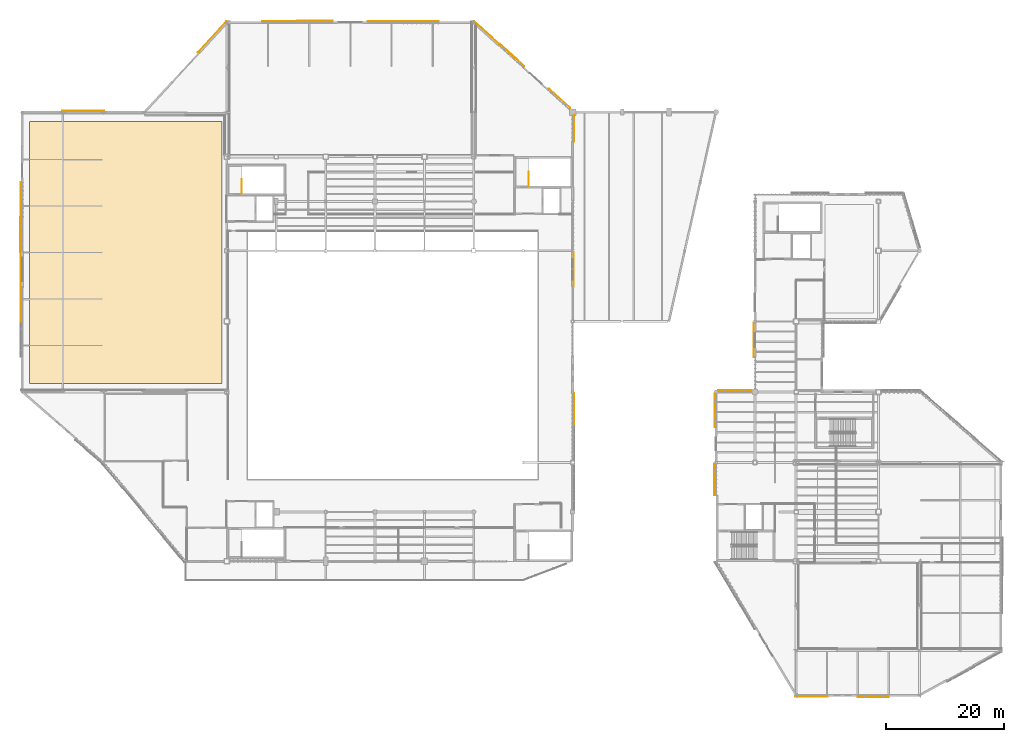
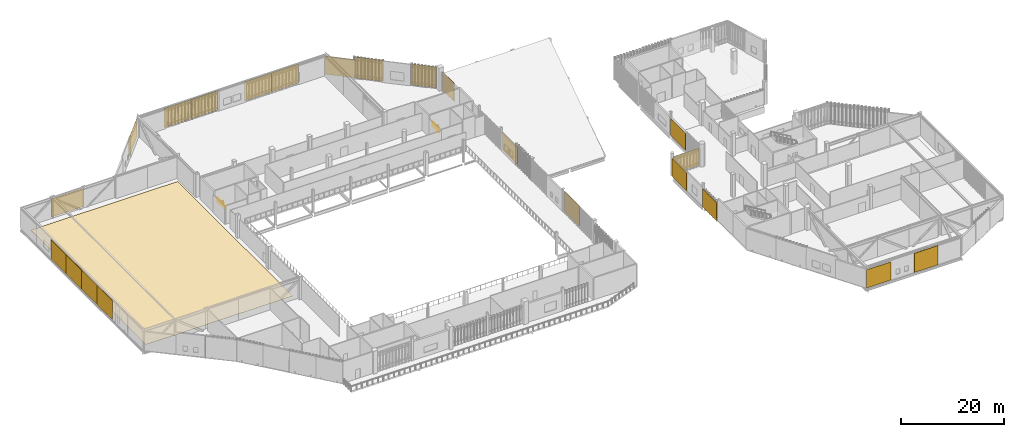
# One storey, part 132 of 135: 15 shading devices, 8 coverings, 2 railings.
"""IFC4 building model written with IfcOpenShell, lengths in metres."""

from ifc_helpers import new_model, si_unit, direction, frame, origin, origin_2d, place, context, subcontext, project, spatial, polyline, rectangle, circle, outline, extrude, material, layer, layer_set, type_object, element, save


model = new_model("IFC4")

# Units and contexts
model_context = context("Model", 3, precision=1e-05, world=origin(), true_north=direction((0.0, 1.0)))
body_context = subcontext(model_context, "Body", "Model", "MODEL_VIEW")
ifc_project = project(units=[si_unit("LENGTHUNIT", "METRE"), si_unit("AREAUNIT", "SQUARE_METRE"), si_unit("VOLUMEUNIT", "CUBIC_METRE"), si_unit("PLANEANGLEUNIT", "RADIAN"), si_unit("MASSUNIT", "GRAM", prefix="KILO")], contexts=[model_context])

# Site, building, storey
site_placement = place(None, origin())
site = spatial("IfcSite", under=ifc_project, at=site_placement, CompositionType="ELEMENT")
building_placement = place(site_placement, origin())
building = spatial("IfcBuilding", under=site, at=building_placement, Name="Larkvane Passage Sports Hall", CompositionType="ELEMENT")
storey_placement = place(building_placement, frame((0.0, 0.0, 16.800048828125)))
storey = spatial("IfcBuildingStorey", under=building, at=storey_placement, Name="L03", CompositionType="ELEMENT", Elevation=16.800048828125)

# Coverings
ifc_material_1 = material(Name="Sprung maple sports floor")
ifc_layer_1 = layer(ifc_material_1, 0.0400390625)
ifc_layer_set_1 = layer_set([ifc_layer_1], Name="Sprung maple sports floor")
covering_type_1 = type_object("IfcCoveringType", Name="COV-FLR-MAPLE", PredefinedType="FLOORING", material=ifc_layer_set_1)
covering_1_placement = place(storey_placement, origin())
element("IfcCovering", 1, at=covering_1_placement, inside=storey, type_object=covering_type_1, Name="Northwest two-court basketball maple floor", PredefinedType="FLOORING", context=body_context, shape_type="SweptSolid", body=[
    extrude(outline(polyline([(1.199951171875, 53.0), (34.0, 53.0), (34.0, 97.60009765625), (1.199951171875, 97.60009765625), (1.199951171875, 53.0)])), origin(), (0.0, 0.0, 1.0), 0.0400390625),
])
ifc_material_2 = material(Name="Perforated anodised aluminium 5052-H32", Category="aluminium")
ifc_layer_2 = layer(ifc_material_2, 0.050048828125)
ifc_layer_set_2 = layer_set([ifc_layer_2], Name="Perforated anodised aluminium 5052-H32")
covering_type_2 = type_object("IfcCoveringType", Name="COV-MESH-VEIL", PredefinedType="CLADDING", material=ifc_layer_set_2)
covering_2_placement = place(storey_placement, frame((134.22509765625, -0.197509765625, 0.074951171875), z_axis=(0.0, 0.0, 1.0), x_axis=(-1.0, 0.0, 0.0)))
element("IfcCovering", 2, at=covering_2_placement, inside=storey, type_object=covering_type_2, Name="Perforated cladding cassette L03-176", PredefinedType="CLADDING", context=body_context, shape_type="SweptSolid", body=[
    extrude(rectangle(XDim=5.481201171875, YDim=0.050048828125, at=origin_2d()), origin(), (0.0, 0.0, 1.0), 4.27001953125),
])
covering_3_placement = place(storey_placement, frame((124.402587890625, 60.41748046875, 0.074951171875), z_axis=(0.0, 0.0, 1.0), x_axis=(0.0, 1.0, 0.0)))
element("IfcCovering", 3, at=covering_3_placement, inside=storey, type_object=covering_type_2, Name="Perforated cladding cassette L03-180", PredefinedType="CLADDING", context=body_context, shape_type="SweptSolid", body=[
    extrude(rectangle(XDim=5.866455078125, YDim=0.050048828125, at=origin_2d()), origin(), (0.0, 0.0, 1.0), 3.9580078125),
])
covering_4_placement = place(storey_placement, frame((-0.237548828125, 72.425048828125, 0.074951171875), z_axis=(0.0, 0.0, 1.0), x_axis=(0.0, 1.0, 0.0)))
element("IfcCovering", 4, at=covering_4_placement, inside=storey, type_object=covering_type_2, Name="Perforated cladding cassette L03-188", PredefinedType="CLADDING", context=body_context, shape_type="SweptSolid", body=[
    extrude(rectangle(XDim=6.258056640625, YDim=0.050048828125, at=origin_2d()), origin(), (0.0, 0.0, 1.0), 4.498046875),
])
covering_5_placement = place(storey_placement, frame((10.39990234375, 99.3974609375, 0.07470703125), z_axis=(0.0, 0.0, 1.0), x_axis=(1.0, 0.0, 0.0)))
element("IfcCovering", 5, at=covering_5_placement, inside=storey, type_object=covering_type_2, Name="Perforated cladding cassette L03-192", PredefinedType="CLADDING", context=body_context, shape_type="SweptSolid", body=[
    extrude(rectangle(XDim=7.16455078125, YDim=0.050048828125, at=origin_2d()), origin(), (0.0, 0.0, 1.0), 4.300048828125),
])
covering_6_placement = place(storey_placement, frame((32.3212890625, 112.00048828125, 0.07470703125), z_axis=(0.0, 0.0, 1.0), x_axis=(0.677475754753, 0.735545105158, 0.0)))
element("IfcCovering", 6, at=covering_6_placement, inside=storey, type_object=covering_type_2, Name="Perforated cladding cassette L03-196", PredefinedType="CLADDING", context=body_context, shape_type="SweptSolid", body=[
    extrude(rectangle(XDim=7.11962890625, YDim=0.050048828125, at=origin_2d()), origin(), (0.0, 0.0, 1.0), 4.300048828125),
])
covering_7_placement = place(storey_placement, frame((79.032470703125, 112.646484375, 0.07470703125), z_axis=(0.0, 0.0, 1.0), x_axis=(0.741535779122, -0.670913323971, 0.0)))
element("IfcCovering", 7, at=covering_7_placement, inside=storey, type_object=covering_type_2, Name="Perforated cladding cassette L03-200", PredefinedType="CLADDING", context=body_context, shape_type="SweptSolid", body=[
    extrude(rectangle(XDim=5.89501953125, YDim=0.050048828125, at=origin_2d()), origin(), (0.0, 0.0, 1.0), 4.300048828125),
])
covering_8_placement = place(storey_placement, frame((93.797607421875, 72.431640625, 0.074951171875), z_axis=(0.0, 0.0, 1.0), x_axis=(0.0, -1.0, 0.0)))
element("IfcCovering", 8, at=covering_8_placement, inside=storey, type_object=covering_type_2, Name="Perforated cladding cassette L03-204", PredefinedType="CLADDING", context=body_context, shape_type="SweptSolid", body=[
    extrude(rectangle(XDim=5.89453125, YDim=0.050048828125, at=origin_2d()), origin(), (0.0, 0.0, 1.0), 4.166015625),
])

# Railings
ifc_material_3 = material(Name="Steel S355JR", Category="steel")
railing_type = type_object("IfcRailingType", Name="RL-GUARD-1120", PredefinedType="GUARDRAIL", material=ifc_material_3)
for number, where, name in (
    (9, (37.330078125, 85.300048828125, 0.0), "L03 ST-02 top well guard 1"),
    (10, (86.1298828125, 86.60009765625, 0.0), "L03 ST-03 top well guard 1"),
):
    element("IfcRailing", number, at=place(storey_placement, frame(where)), inside=storey, type_object=railing_type, Name=name, PredefinedType="GUARDRAIL", context=body_context, shape_type="SweptSolid", body=[
        extrude(circle(Radius=0.02392578125, at=origin_2d()), frame((0.0, 0.001953125, 1.09619140625), z_axis=(0.0, 1.0, 0.0), x_axis=(-1.0, 0.0, 0.0)), (0.0, 0.0, 1.0), 2.446044921875),
        extrude(circle(Radius=0.02099609375, at=origin_2d()), origin(), (0.0, 0.0, 1.0), 1.072021484375),
        extrude(circle(Radius=0.02099609375, at=origin_2d()), frame((0.0, 0.816650390625, 0.0)), (0.0, 0.0, 1.0), 1.072021484375),
        extrude(circle(Radius=0.02099609375, at=origin_2d()), frame((0.0, 1.63330078125, 0.0)), (0.0, 0.0, 1.0), 1.072021484375),
        extrude(circle(Radius=0.02099609375, at=origin_2d()), frame((0.0, 2.449951171875, 0.0)), (0.0, 0.0, 1.0), 1.072021484375),
    ])

# Shading devices
ifc_material_4 = material(Name="Extruded aluminium 6063-T6", Category="aluminium")
ifc_layer_3 = layer(ifc_material_4, 0.1201171875)
ifc_layer_set_3 = layer_set([ifc_layer_3], Name="Extruded aluminium 6063-T6")
shading_device_type_1 = type_object("IfcShadingDeviceType", Name="SHD-LOUVRE-STORM", PredefinedType="JALOUSIE", material=ifc_layer_set_3)
shading_device_1_placement = place(storey_placement, frame((144.72509765625, -0.239990234375, 0.059814453125), z_axis=(0.0, 0.0, 1.0), x_axis=(-1.0, 0.0, 0.0)))
element("IfcShadingDevice", 11, at=shading_device_1_placement, inside=storey, type_object=shading_device_type_1, Name="Solar veil screen L03-084", PredefinedType="JALOUSIE", context=body_context, shape_type="SweptSolid", body=[
    extrude(rectangle(XDim=5.25, YDim=0.1201171875, at=origin_2d()), origin(), (0.0, 0.0, 1.0), 4.498046875),
])
shading_device_2_placement = place(storey_placement, frame((117.760009765625, 36.701904296875, 0.06005859375), z_axis=(0.0, 0.0, 1.0), x_axis=(0.0, 1.0, 0.0)))
element("IfcShadingDevice", 12, at=shading_device_2_placement, inside=storey, type_object=shading_device_type_1, Name="Solar veil screen L03-087", PredefinedType="JALOUSIE", context=body_context, shape_type="SweptSolid", body=[
    extrude(rectangle(XDim=5.404052734375, YDim=0.1201171875, at=origin_2d()), origin(), (0.0, 0.0, 1.0), 4.196044921875),
])
shading_device_3_placement = place(storey_placement, frame((-0.239990234375, 78.375, 0.06005859375), z_axis=(0.0, 0.0, 1.0), x_axis=(0.0, 1.0, 0.0)))
element("IfcShadingDevice", 13, at=shading_device_3_placement, inside=storey, type_object=shading_device_type_1, Name="Solar veil screen L03-096", PredefinedType="JALOUSIE", context=body_context, shape_type="SweptSolid", body=[
    extrude(rectangle(XDim=5.949951171875, YDim=0.1201171875, at=origin_2d()), origin(), (0.0, 0.0, 1.0), 4.528076171875),
])
shading_device_4_placement = place(storey_placement, frame((49.800048828125, 114.639892578125, 0.06005859375), z_axis=(0.0, 0.0, 1.0), x_axis=(1.0, 0.0, 0.0)))
element("IfcShadingDevice", 14, at=shading_device_4_placement, inside=storey, type_object=shading_device_type_1, Name="Solar veil screen L03-099", PredefinedType="JALOUSIE", context=body_context, shape_type="SweptSolid", body=[
    extrude(rectangle(XDim=6.0, YDim=0.1201171875, at=origin_2d()), origin(), (0.0, 0.0, 1.0), 4.528076171875),
])
shading_device_5_placement = place(storey_placement, frame((83.260986328125, 108.8779296875, 0.06005859375), z_axis=(0.0, 0.0, 1.0), x_axis=(0.741535779122, -0.670913323971, 0.0)))
element("IfcShadingDevice", 15, at=shading_device_5_placement, inside=storey, type_object=shading_device_type_1, Name="Solar veil screen L03-102", PredefinedType="JALOUSIE", context=body_context, shape_type="SweptSolid", body=[
    extrude(rectangle(XDim=5.663818359375, YDim=0.1201171875, at=origin_2d()), origin(), (0.0, 0.0, 1.0), 4.949951171875),
])
shading_device_6_placement = place(storey_placement, frame((93.840087890625, 48.50048828125, 0.06005859375), z_axis=(0.0, 0.0, 1.0), x_axis=(0.0, -1.0, 0.0)))
element("IfcShadingDevice", 16, at=shading_device_6_placement, inside=storey, type_object=shading_device_type_1, Name="Solar veil screen L03-105", PredefinedType="JALOUSIE", context=body_context, shape_type="SweptSolid", body=[
    extrude(rectangle(XDim=5.80078125, YDim=0.1201171875, at=origin_2d()), origin(), (0.0, 0.0, 1.0), 4.722900390625),
])
ifc_layer_4 = layer(ifc_material_2, 0.06005859375)
ifc_layer_set_4 = layer_set([ifc_layer_4], Name="Perforated anodised aluminium 5052-H32")
shading_device_type_2 = type_object("IfcShadingDeviceType", Name="SHD-VEIL-PERF", PredefinedType="SHUTTER", material=ifc_layer_set_4)
shading_device_7_placement = place(storey_placement, frame((117.760009765625, 48.427001953125, 0.06005859375), z_axis=(0.0, 0.0, 1.0), x_axis=(0.0, 1.0, 0.0)))
element("IfcShadingDevice", 17, at=shading_device_7_placement, inside=storey, type_object=shading_device_type_2, Name="Solar veil screen L03-088", PredefinedType="SHUTTER", context=body_context, shape_type="SweptSolid", body=[
    extrude(rectangle(XDim=5.654052734375, YDim=0.06005859375, at=origin_2d()), origin(), (0.0, 0.0, 1.0), 4.196044921875),
])
shading_device_8_placement = place(storey_placement, frame((121.199951171875, 51.840087890625, 0.06005859375), z_axis=(0.0, 0.0, 1.0), x_axis=(1.0, 0.0, 0.0)))
element("IfcShadingDevice", 18, at=shading_device_8_placement, inside=storey, type_object=shading_device_type_2, Name="Solar veil screen L03-089", PredefinedType="SHUTTER", context=body_context, shape_type="SweptSolid", body=[
    extrude(rectangle(XDim=5.7080078125, YDim=0.06005859375, at=origin_2d()), origin(), (0.0, 0.0, 1.0), 4.095947265625),
])
for number, where, z_axis, x_axis, name in (
    (19, (-0.239990234375, 66.47509765625, 0.06005859375), (0.0, 0.0, 1.0), (0.0, 1.0, 0.0), "Solar veil screen L03-095"),
    (20, (-0.239990234375, 84.324951171875, 0.06005859375), (0.0, 0.0, 1.0), (0.0, 1.0, 0.0), "Solar veil screen L03-097"),
):
    element("IfcShadingDevice", number, at=place(storey_placement, frame(where, z_axis=z_axis, x_axis=x_axis)), inside=storey, type_object=shading_device_type_2, Name=name, PredefinedType="SHUTTER", context=body_context, shape_type="SweptSolid", body=[
        extrude(rectangle(XDim=5.949951171875, YDim=0.06005859375, at=origin_2d()), origin(), (0.0, 0.0, 1.0), 4.528076171875),
    ])
for number, where, z_axis, x_axis, name in (
    (21, (43.800048828125, 114.639892578125, 0.06005859375), (0.0, 0.0, 1.0), (1.0, 0.0, 0.0), "Solar veil screen L03-098"),
    (22, (61.800048828125, 114.639892578125, 0.06005859375), (0.0, 0.0, 1.0), (1.0, 0.0, 0.0), "Solar veil screen L03-100"),
    (23, (67.800048828125, 114.639892578125, 0.06005859375), (0.0, 0.0, 1.0), (1.0, 0.0, 0.0), "Solar veil screen L03-101"),
):
    element("IfcShadingDevice", number, at=place(storey_placement, frame(where, z_axis=z_axis, x_axis=x_axis)), inside=storey, type_object=shading_device_type_2, Name=name, PredefinedType="SHUTTER", context=body_context, shape_type="SweptSolid", body=[
        extrude(rectangle(XDim=6.0, YDim=0.06005859375, at=origin_2d()), origin(), (0.0, 0.0, 1.0), 4.528076171875),
    ])
shading_device_9_placement = place(storey_placement, frame((91.37451171875, 101.537109375, 0.06005859375), z_axis=(0.0, 0.0, 1.0), x_axis=(0.741535779122, -0.670913323971, 0.0)))
element("IfcShadingDevice", 24, at=shading_device_9_placement, inside=storey, type_object=shading_device_type_2, Name="Solar veil screen L03-103", PredefinedType="SHUTTER", context=body_context, shape_type="SweptSolid", body=[
    extrude(rectangle(XDim=4.89111328125, YDim=0.06005859375, at=origin_2d()), origin(), (0.0, 0.0, 1.0), 4.949951171875),
])
shading_device_10_placement = place(storey_placement, frame((93.840087890625, 96.3935546875, 0.059814453125), z_axis=(0.0, 0.0, 1.0), x_axis=(0.0, -1.0, 0.0)))
element("IfcShadingDevice", 25, at=shading_device_10_placement, inside=storey, type_object=shading_device_type_2, Name="Solar veil screen L03-104", PredefinedType="SHUTTER", context=body_context, shape_type="SweptSolid", body=[
    extrude(rectangle(XDim=4.520751953125, YDim=0.06005859375, at=origin_2d()), origin(), (0.0, 0.0, 1.0), 4.2880859375),
])

save(model, "model.ifc")
